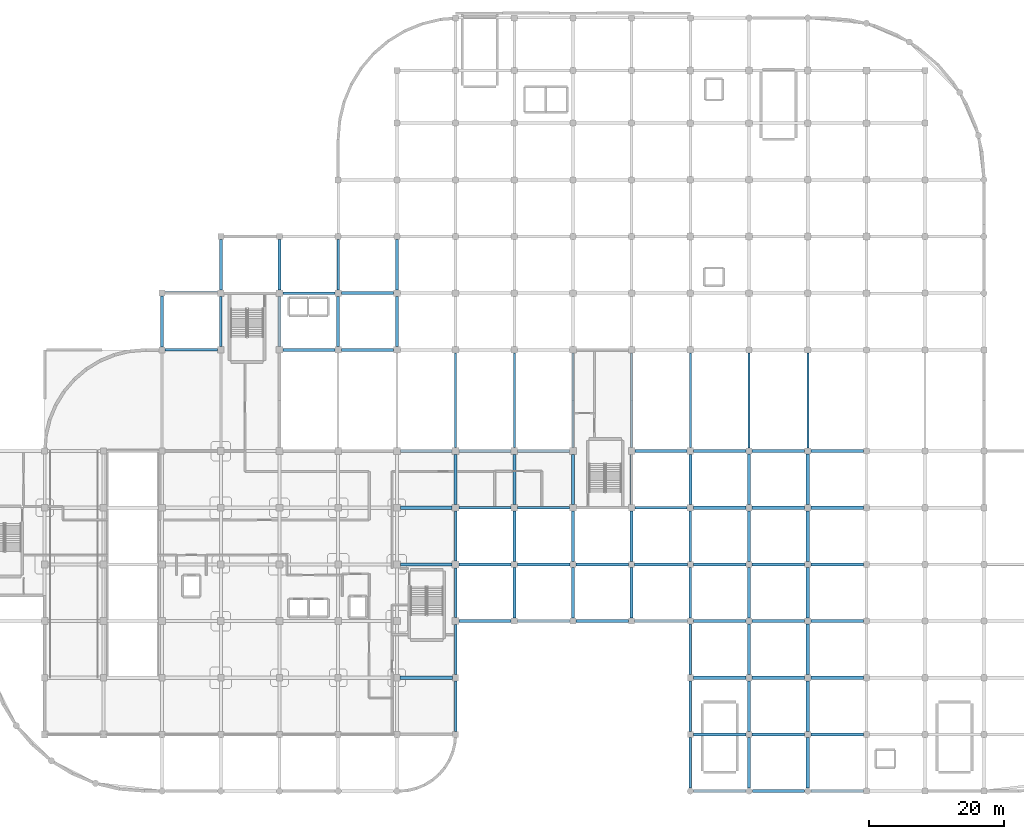
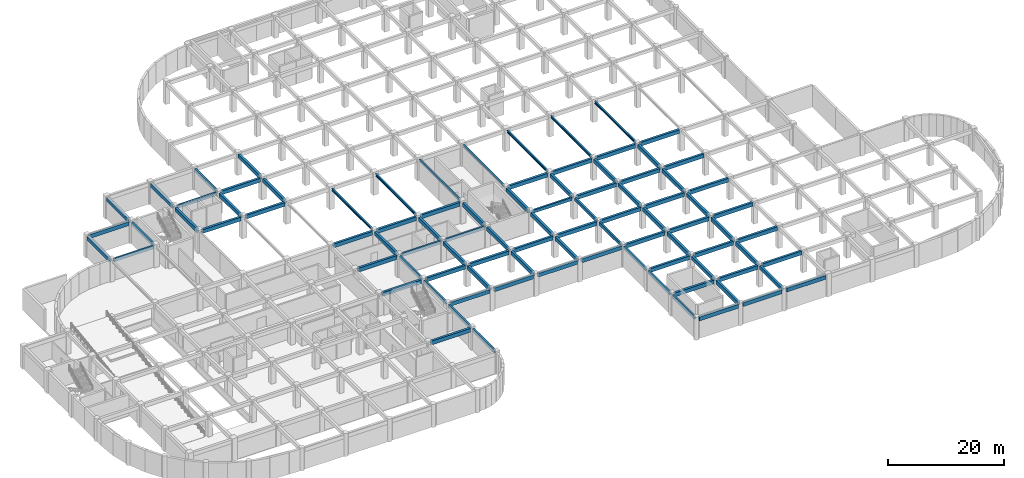
# One storey, part 3 of 19: 93 beams.
"""IFC4 building model written with IfcOpenShell, lengths in metres."""

from ifc_helpers import new_model, si_unit, derived_unit, direction, frame, origin, origin_2d, place, context, subcontext, project, spatial, rectangle, i_section, extrude, material, material_profile, profile_set, type_object, element, save


model = new_model("IFC4")

# Units and contexts
model_context = context("Model", 3, precision=1e-05, world=origin(), true_north=direction((0.0, 1.0)))
body_context = subcontext(model_context, "Body", "Model", "MODEL_VIEW")
ifc_project = project(units=[si_unit("LENGTHUNIT", "METRE"), si_unit("AREAUNIT", "SQUARE_METRE"), si_unit("VOLUMEUNIT", "CUBIC_METRE"), si_unit("PLANEANGLEUNIT", "RADIAN"), si_unit("MASSUNIT", "GRAM", prefix="KILO"), derived_unit("THERMALTRANSMITTANCEUNIT", [(si_unit("MASSUNIT", "GRAM", prefix="KILO"), 1), (si_unit("TIMEUNIT", "SECOND"), -3), (si_unit("THERMODYNAMICTEMPERATUREUNIT", "KELVIN"), -1)])], contexts=[model_context])

# Site, building, storey
site_placement = place(None, origin())
site = spatial("IfcSite", under=ifc_project, at=site_placement, CompositionType="ELEMENT")
building_placement = place(site_placement, origin())
building = spatial("IfcBuilding", under=site, at=building_placement, Name="Qinzheling Arcade Emporium", CompositionType="ELEMENT")
storey_placement = place(building_placement, frame((0.0, 0.0, -4.800048828125)))
storey = spatial("IfcBuildingStorey", under=building, at=storey_placement, Name="B1", CompositionType="ELEMENT", Elevation=-4.800048828125)

# Beams
ifc_material_1 = material(Name="Structural steel Q355B", Category="steel")
ifc_material_profile_1 = material_profile(ifc_material_1, i_section(OverallWidth=0.300048828125, OverallDepth=0.488037109375, WebThickness=0.010986328125, FlangeThickness=0.01806640625, FilletRadius=0.02197265625, at=origin_2d()), Name="HM 488x300x11x18", Category="steel")
ifc_profile_set_1 = profile_set([ifc_material_profile_1], Name="Structural steel Q355B")
beam_type_1 = type_object("IfcBeamType", Name="Atrium Bridge Girder HM488 Q355B", PredefinedType="USERDEFINED", material=ifc_profile_set_1)
for number, where, z_axis, x_axis, name in (
    (1, (69.60009765625, 50.89990234375, 4.216064453125), (0.0, 1.0, 0.0), (-1.0, 0.0, 0.0), "Beam BM-B1-Y-9-G"),
    (2, (78.300048828125, 50.89990234375, 4.216064453125), (0.0, 1.0, 0.0), (-1.0, 0.0, 0.0), "Beam BM-B1-Y-10-G"),
    (3, (87.0, 50.89990234375, 4.216064453125), (0.0, 1.0, 0.0), (-1.0, 0.0, 0.0), "Beam BM-B1-Y-11-G"),
    (4, (95.699951171875, 50.89990234375, 4.216064453125), (0.0, 1.0, 0.0), (-1.0, 0.0, 0.0), "Beam BM-B1-Y-12-G"),
    (5, (104.39990234375, 50.89990234375, 4.216064453125), (0.0, 1.0, 0.0), (-1.0, 0.0, 0.0), "Beam BM-B1-Y-13-G"),
):
    element("IfcBeam", number, at=place(storey_placement, frame(where, z_axis=z_axis, x_axis=x_axis)), inside=storey, type_object=beam_type_1, Name=name, ObjectType="TRANSFER_GIRDER", PredefinedType="USERDEFINED", context=body_context, shape_type="SweptSolid", body=[
        extrude(i_section(OverallWidth=0.300048828125, OverallDepth=0.488037109375, WebThickness=0.010986328125, FlangeThickness=0.01806640625, FilletRadius=0.02197265625, at=origin_2d()), origin(), (0.0, 0.0, 1.0), 14.0),
    ])
for number, where, z_axis, x_axis, name in (
    (6, (113.10009765625, 50.85009765625, 4.216064453125), (0.0, 1.0, 0.0), (-1.0, 0.0, 0.0), "Beam BM-B1-Y-14-G"),
    (7, (121.800048828125, 50.85009765625, 4.216064453125), (0.0, 1.0, 0.0), (-1.0, 0.0, 0.0), "Beam BM-B1-Y-15-G"),
):
    element("IfcBeam", number, at=place(storey_placement, frame(where, z_axis=z_axis, x_axis=x_axis)), inside=storey, type_object=beam_type_1, Name=name, ObjectType="TRANSFER_GIRDER", PredefinedType="USERDEFINED", context=body_context, shape_type="SweptSolid", body=[
        extrude(i_section(OverallWidth=0.300048828125, OverallDepth=0.488037109375, WebThickness=0.010986328125, FlangeThickness=0.01806640625, FilletRadius=0.02197265625, at=origin_2d()), origin(), (0.0, 0.0, 1.0), 14.099853515625),
    ])
ifc_material_2 = material(Name="Concrete C40", Category="concrete")
ifc_material_profile_2 = material_profile(ifc_material_2, rectangle(XDim=0.449951171875, YDim=0.800048828125, at=origin_2d()), Name="RC 450x800", Category="concrete")
ifc_profile_set_2 = profile_set([ifc_material_profile_2], Name="Concrete C40")
beam_type_2 = type_object("IfcBeamType", Name="RC Primary Frame Beam 450x800 C40", PredefinedType="BEAM", material=ifc_profile_set_2)
for number, where, z_axis, x_axis, name in (
    (8, (104.875, 0.0, 4.06005859375), (1.0, 0.0, 0.0), (0.0, 1.0, 0.0), "Beam BM-B1-X-A-13"),
    (9, (113.574951171875, 0.0, 4.06005859375), (1.0, 0.0, 0.0), (0.0, 1.0, 0.0), "Beam BM-B1-X-A-14"),
):
    element("IfcBeam", number, at=place(storey_placement, frame(where, z_axis=z_axis, x_axis=x_axis)), inside=storey, type_object=beam_type_2, Name=name, PredefinedType="BEAM", context=body_context, shape_type="SweptSolid", body=[
        extrude(rectangle(XDim=0.449951171875, YDim=0.800048828125, at=origin_2d()), origin(), (0.0, 0.0, 1.0), 7.75),
    ])
beam_1_placement = place(storey_placement, frame((122.27490234375, 0.0, 4.06005859375), z_axis=(1.0, 0.0, 0.0), x_axis=(0.0, 1.0, 0.0)))
element("IfcBeam", 10, at=beam_1_placement, inside=storey, type_object=beam_type_2, Name="Beam BM-B1-X-A-15", PredefinedType="BEAM", context=body_context, shape_type="SweptSolid", body=[
    extrude(rectangle(XDim=0.449951171875, YDim=0.800048828125, at=origin_2d()), origin(), (0.0, 0.0, 1.0), 7.775146484375),
])
beam_2_placement = place(storey_placement, frame((104.85009765625, 8.39990234375, 4.06005859375), z_axis=(1.0, 0.0, 0.0), x_axis=(0.0, 1.0, 0.0)))
element("IfcBeam", 11, at=beam_2_placement, inside=storey, type_object=beam_type_2, Name="Beam BM-B1-X-B-13", PredefinedType="BEAM", context=body_context, shape_type="SweptSolid", body=[
    extrude(rectangle(XDim=0.449951171875, YDim=0.800048828125, at=origin_2d()), origin(), (0.0, 0.0, 1.0), 7.7998046875),
])
for number, where, z_axis, x_axis, name in (
    (12, (113.550048828125, 8.39990234375, 4.06005859375), (1.0, 0.0, 0.0), (0.0, 1.0, 0.0), "Beam BM-B1-X-B-14"),
    (13, (122.25, 8.39990234375, 4.06005859375), (1.0, 0.0, 0.0), (0.0, 1.0, 0.0), "Beam BM-B1-X-B-15"),
):
    element("IfcBeam", number, at=place(storey_placement, frame(where, z_axis=z_axis, x_axis=x_axis)), inside=storey, type_object=beam_type_2, Name=name, PredefinedType="BEAM", context=body_context, shape_type="SweptSolid", body=[
        extrude(rectangle(XDim=0.449951171875, YDim=0.800048828125, at=origin_2d()), origin(), (0.0, 0.0, 1.0), 7.800048828125),
    ])
for number, where, z_axis, x_axis, name in (
    (14, (61.35009765625, 16.800048828125, 4.06005859375), (1.0, 0.0, 0.0), (0.0, 1.0, 0.0), "Beam BM-B1-X-C-8"),
    (15, (104.85009765625, 16.800048828125, 4.06005859375), (1.0, 0.0, 0.0), (0.0, 1.0, 0.0), "Beam BM-B1-X-C-13"),
):
    element("IfcBeam", number, at=place(storey_placement, frame(where, z_axis=z_axis, x_axis=x_axis)), inside=storey, type_object=beam_type_2, Name=name, PredefinedType="BEAM", context=body_context, shape_type="SweptSolid", body=[
        extrude(rectangle(XDim=0.449951171875, YDim=0.800048828125, at=origin_2d()), origin(), (0.0, 0.0, 1.0), 7.7998046875),
    ])
for number, where, z_axis, x_axis, name in (
    (16, (113.550048828125, 16.800048828125, 4.06005859375), (1.0, 0.0, 0.0), (0.0, 1.0, 0.0), "Beam BM-B1-X-C-14"),
    (17, (122.25, 16.800048828125, 4.06005859375), (1.0, 0.0, 0.0), (0.0, 1.0, 0.0), "Beam BM-B1-X-C-15"),
):
    element("IfcBeam", number, at=place(storey_placement, frame(where, z_axis=z_axis, x_axis=x_axis)), inside=storey, type_object=beam_type_2, Name=name, PredefinedType="BEAM", context=body_context, shape_type="SweptSolid", body=[
        extrude(rectangle(XDim=0.449951171875, YDim=0.800048828125, at=origin_2d()), origin(), (0.0, 0.0, 1.0), 7.800048828125),
    ])
beam_3_placement = place(storey_placement, frame((70.10009765625, 25.199951171875, 4.06005859375), z_axis=(1.0, 0.0, 0.0), x_axis=(0.0, 1.0, 0.0)))
element("IfcBeam", 18, at=beam_3_placement, inside=storey, type_object=beam_type_2, Name="Beam BM-B1-X-D-9", PredefinedType="BEAM", context=body_context, shape_type="SweptSolid", body=[
    extrude(rectangle(XDim=0.449951171875, YDim=0.800048828125, at=origin_2d()), origin(), (0.0, 0.0, 1.0), 7.75),
])
for number, where, z_axis, x_axis, name in (
    (19, (78.75, 25.199951171875, 4.06005859375), (1.0, 0.0, 0.0), (0.0, 1.0, 0.0), "Beam BM-B1-X-D-10"),
    (20, (87.449951171875, 25.199951171875, 4.06005859375), (1.0, 0.0, 0.0), (0.0, 1.0, 0.0), "Beam BM-B1-X-D-11"),
    (21, (96.14990234375, 25.199951171875, 4.06005859375), (1.0, 0.0, 0.0), (0.0, 1.0, 0.0), "Beam BM-B1-X-D-12"),
):
    element("IfcBeam", number, at=place(storey_placement, frame(where, z_axis=z_axis, x_axis=x_axis)), inside=storey, type_object=beam_type_2, Name=name, PredefinedType="BEAM", context=body_context, shape_type="SweptSolid", body=[
        extrude(rectangle(XDim=0.449951171875, YDim=0.800048828125, at=origin_2d()), origin(), (0.0, 0.0, 1.0), 7.800048828125),
    ])
beam_4_placement = place(storey_placement, frame((104.85009765625, 25.199951171875, 4.06005859375), z_axis=(1.0, 0.0, 0.0), x_axis=(0.0, 1.0, 0.0)))
element("IfcBeam", 22, at=beam_4_placement, inside=storey, type_object=beam_type_2, Name="Beam BM-B1-X-D-13", PredefinedType="BEAM", context=body_context, shape_type="SweptSolid", body=[
    extrude(rectangle(XDim=0.449951171875, YDim=0.800048828125, at=origin_2d()), origin(), (0.0, 0.0, 1.0), 7.7998046875),
])
for number, where, z_axis, x_axis, name in (
    (23, (113.550048828125, 25.199951171875, 4.06005859375), (1.0, 0.0, 0.0), (0.0, 1.0, 0.0), "Beam BM-B1-X-D-14"),
    (24, (122.25, 25.199951171875, 4.06005859375), (1.0, 0.0, 0.0), (0.0, 1.0, 0.0), "Beam BM-B1-X-D-15"),
):
    element("IfcBeam", number, at=place(storey_placement, frame(where, z_axis=z_axis, x_axis=x_axis)), inside=storey, type_object=beam_type_2, Name=name, PredefinedType="BEAM", context=body_context, shape_type="SweptSolid", body=[
        extrude(rectangle(XDim=0.449951171875, YDim=0.800048828125, at=origin_2d()), origin(), (0.0, 0.0, 1.0), 7.800048828125),
    ])
beam_5_placement = place(storey_placement, frame((61.39990234375, 33.60009765625, 4.06005859375), z_axis=(1.0, 0.0, 0.0), x_axis=(0.0, 1.0, 0.0)))
element("IfcBeam", 25, at=beam_5_placement, inside=storey, type_object=beam_type_2, Name="Beam BM-B1-X-E-8", PredefinedType="BEAM", context=body_context, shape_type="SweptSolid", body=[
    extrude(rectangle(XDim=0.449951171875, YDim=0.800048828125, at=origin_2d()), origin(), (0.0, 0.0, 1.0), 7.7001953125),
])
beam_6_placement = place(storey_placement, frame((70.10009765625, 33.60009765625, 4.06005859375), z_axis=(1.0, 0.0, 0.0), x_axis=(0.0, 1.0, 0.0)))
element("IfcBeam", 26, at=beam_6_placement, inside=storey, type_object=beam_type_2, Name="Beam BM-B1-X-E-9", PredefinedType="BEAM", context=body_context, shape_type="SweptSolid", body=[
    extrude(rectangle(XDim=0.449951171875, YDim=0.800048828125, at=origin_2d()), origin(), (0.0, 0.0, 1.0), 7.75),
])
for number, where, z_axis, x_axis, name in (
    (27, (78.75, 33.60009765625, 4.06005859375), (1.0, 0.0, 0.0), (0.0, 1.0, 0.0), "Beam BM-B1-X-E-10"),
    (28, (87.449951171875, 33.60009765625, 4.06005859375), (1.0, 0.0, 0.0), (0.0, 1.0, 0.0), "Beam BM-B1-X-E-11"),
    (29, (96.14990234375, 33.60009765625, 4.06005859375), (1.0, 0.0, 0.0), (0.0, 1.0, 0.0), "Beam BM-B1-X-E-12"),
):
    element("IfcBeam", number, at=place(storey_placement, frame(where, z_axis=z_axis, x_axis=x_axis)), inside=storey, type_object=beam_type_2, Name=name, PredefinedType="BEAM", context=body_context, shape_type="SweptSolid", body=[
        extrude(rectangle(XDim=0.449951171875, YDim=0.800048828125, at=origin_2d()), origin(), (0.0, 0.0, 1.0), 7.800048828125),
    ])
beam_7_placement = place(storey_placement, frame((104.85009765625, 33.60009765625, 4.06005859375), z_axis=(1.0, 0.0, 0.0), x_axis=(0.0, 1.0, 0.0)))
element("IfcBeam", 30, at=beam_7_placement, inside=storey, type_object=beam_type_2, Name="Beam BM-B1-X-E-13", PredefinedType="BEAM", context=body_context, shape_type="SweptSolid", body=[
    extrude(rectangle(XDim=0.449951171875, YDim=0.800048828125, at=origin_2d()), origin(), (0.0, 0.0, 1.0), 7.7998046875),
])
for number, where, z_axis, x_axis, name in (
    (31, (113.550048828125, 33.60009765625, 4.06005859375), (1.0, 0.0, 0.0), (0.0, 1.0, 0.0), "Beam BM-B1-X-E-14"),
    (32, (122.25, 33.60009765625, 4.06005859375), (1.0, 0.0, 0.0), (0.0, 1.0, 0.0), "Beam BM-B1-X-E-15"),
):
    element("IfcBeam", number, at=place(storey_placement, frame(where, z_axis=z_axis, x_axis=x_axis)), inside=storey, type_object=beam_type_2, Name=name, PredefinedType="BEAM", context=body_context, shape_type="SweptSolid", body=[
        extrude(rectangle(XDim=0.449951171875, YDim=0.800048828125, at=origin_2d()), origin(), (0.0, 0.0, 1.0), 7.800048828125),
    ])
beam_8_placement = place(storey_placement, frame((61.39990234375, 42.0, 4.06005859375), z_axis=(1.0, 0.0, 0.0), x_axis=(0.0, 1.0, 0.0)))
element("IfcBeam", 33, at=beam_8_placement, inside=storey, type_object=beam_type_2, Name="Beam BM-B1-X-F-8", PredefinedType="BEAM", context=body_context, shape_type="SweptSolid", body=[
    extrude(rectangle(XDim=0.449951171875, YDim=0.800048828125, at=origin_2d()), origin(), (0.0, 0.0, 1.0), 7.7001953125),
])
beam_9_placement = place(storey_placement, frame((104.89990234375, 42.0, 4.06005859375), z_axis=(1.0, 0.0, 0.0), x_axis=(0.0, 1.0, 0.0)))
element("IfcBeam", 34, at=beam_9_placement, inside=storey, type_object=beam_type_2, Name="Beam BM-B1-X-F-13", PredefinedType="BEAM", context=body_context, shape_type="SweptSolid", body=[
    extrude(rectangle(XDim=0.449951171875, YDim=0.800048828125, at=origin_2d()), origin(), (0.0, 0.0, 1.0), 7.75),
])
for number, where, z_axis, x_axis, name in (
    (35, (113.550048828125, 42.0, 4.06005859375), (1.0, 0.0, 0.0), (0.0, 1.0, 0.0), "Beam BM-B1-X-F-14"),
    (36, (122.25, 42.0, 4.06005859375), (1.0, 0.0, 0.0), (0.0, 1.0, 0.0), "Beam BM-B1-X-F-15"),
):
    element("IfcBeam", number, at=place(storey_placement, frame(where, z_axis=z_axis, x_axis=x_axis)), inside=storey, type_object=beam_type_2, Name=name, PredefinedType="BEAM", context=body_context, shape_type="SweptSolid", body=[
        extrude(rectangle(XDim=0.449951171875, YDim=0.800048828125, at=origin_2d()), origin(), (0.0, 0.0, 1.0), 7.800048828125),
    ])
beam_10_placement = place(storey_placement, frame((61.39990234375, 50.39990234375, 4.06005859375), z_axis=(1.0, 0.0, 0.0), x_axis=(0.0, 1.0, 0.0)))
element("IfcBeam", 37, at=beam_10_placement, inside=storey, type_object=beam_type_2, Name="Beam BM-B1-X-G-8", PredefinedType="BEAM", context=body_context, shape_type="SweptSolid", body=[
    extrude(rectangle(XDim=0.449951171875, YDim=0.800048828125, at=origin_2d()), origin(), (0.0, 0.0, 1.0), 7.7001953125),
])
for number, where, z_axis, x_axis, name in (
    (38, (70.10009765625, 50.39990234375, 4.06005859375), (1.0, 0.0, 0.0), (0.0, 1.0, 0.0), "Beam BM-B1-X-G-9"),
    (39, (78.800048828125, 50.39990234375, 4.06005859375), (1.0, 0.0, 0.0), (0.0, 1.0, 0.0), "Beam BM-B1-X-G-10"),
    (40, (96.199951171875, 50.39990234375, 4.06005859375), (1.0, 0.0, 0.0), (0.0, 1.0, 0.0), "Beam BM-B1-X-G-12"),
):
    element("IfcBeam", number, at=place(storey_placement, frame(where, z_axis=z_axis, x_axis=x_axis)), inside=storey, type_object=beam_type_2, Name=name, PredefinedType="BEAM", context=body_context, shape_type="SweptSolid", body=[
        extrude(rectangle(XDim=0.449951171875, YDim=0.800048828125, at=origin_2d()), origin(), (0.0, 0.0, 1.0), 7.699951171875),
    ])
beam_11_placement = place(storey_placement, frame((104.89990234375, 50.39990234375, 4.06005859375), z_axis=(1.0, 0.0, 0.0), x_axis=(0.0, 1.0, 0.0)))
element("IfcBeam", 41, at=beam_11_placement, inside=storey, type_object=beam_type_2, Name="Beam BM-B1-X-G-13", PredefinedType="BEAM", context=body_context, shape_type="SweptSolid", body=[
    extrude(rectangle(XDim=0.449951171875, YDim=0.800048828125, at=origin_2d()), origin(), (0.0, 0.0, 1.0), 7.75),
])
for number, where, z_axis, x_axis, name in (
    (42, (113.550048828125, 50.39990234375, 4.06005859375), (1.0, 0.0, 0.0), (0.0, 1.0, 0.0), "Beam BM-B1-X-G-14"),
    (43, (122.25, 50.39990234375, 4.06005859375), (1.0, 0.0, 0.0), (0.0, 1.0, 0.0), "Beam BM-B1-X-G-15"),
):
    element("IfcBeam", number, at=place(storey_placement, frame(where, z_axis=z_axis, x_axis=x_axis)), inside=storey, type_object=beam_type_2, Name=name, PredefinedType="BEAM", context=body_context, shape_type="SweptSolid", body=[
        extrude(rectangle(XDim=0.449951171875, YDim=0.800048828125, at=origin_2d()), origin(), (0.0, 0.0, 1.0), 7.800048828125),
    ])
for number, where, z_axis, x_axis, name in (
    (44, (44.0, 65.39990234375, 4.06005859375), (1.0, 0.0, 0.0), (0.0, 1.0, 0.0), "Beam BM-B1-X-H-6"),
    (45, (52.699951171875, 65.39990234375, 4.06005859375), (1.0, 0.0, 0.0), (0.0, 1.0, 0.0), "Beam BM-B1-X-H-7"),
):
    element("IfcBeam", number, at=place(storey_placement, frame(where, z_axis=z_axis, x_axis=x_axis)), inside=storey, type_object=beam_type_2, Name=name, PredefinedType="BEAM", context=body_context, shape_type="SweptSolid", body=[
        extrude(rectangle(XDim=0.449951171875, YDim=0.800048828125, at=origin_2d()), origin(), (0.0, 0.0, 1.0), 7.699951171875),
    ])
beam_12_placement = place(storey_placement, frame((26.550048828125, 73.800048828125, 4.06005859375), z_axis=(1.0, 0.0, 0.0), x_axis=(0.0, 1.0, 0.0)))
element("IfcBeam", 46, at=beam_12_placement, inside=storey, type_object=beam_type_2, Name="Beam BM-B1-X-J-4", PredefinedType="BEAM", context=body_context, shape_type="SweptSolid", body=[
    extrude(rectangle(XDim=0.449951171875, YDim=0.800048828125, at=origin_2d()), origin(), (0.0, 0.0, 1.0), 7.75),
])
beam_13_placement = place(storey_placement, frame((52.699951171875, 73.800048828125, 4.06005859375), z_axis=(1.0, 0.0, 0.0), x_axis=(0.0, 1.0, 0.0)))
element("IfcBeam", 47, at=beam_13_placement, inside=storey, type_object=beam_type_2, Name="Beam BM-B1-X-J-7", PredefinedType="BEAM", context=body_context, shape_type="SweptSolid", body=[
    extrude(rectangle(XDim=0.449951171875, YDim=0.800048828125, at=origin_2d()), origin(), (0.0, 0.0, 1.0), 7.699951171875),
])
beam_14_placement = place(storey_placement, frame((26.10009765625, 65.85009765625, 4.06005859375), z_axis=(0.0, 1.0, 0.0), x_axis=(-1.0, 0.0, 0.0)))
element("IfcBeam", 48, at=beam_14_placement, inside=storey, type_object=beam_type_2, Name="Beam BM-B1-Y-4-H", PredefinedType="BEAM", context=body_context, shape_type="SweptSolid", body=[
    extrude(rectangle(XDim=0.449951171875, YDim=0.800048828125, at=origin_2d()), origin(), (0.0, 0.0, 1.0), 7.5),
])
beam_15_placement = place(storey_placement, frame((34.800048828125, 74.300048828125, 4.06005859375), z_axis=(0.0, 1.0, 0.0), x_axis=(-1.0, 0.0, 0.0)))
element("IfcBeam", 49, at=beam_15_placement, inside=storey, type_object=beam_type_2, Name="Beam BM-B1-Y-5-J", PredefinedType="BEAM", context=body_context, shape_type="SweptSolid", body=[
    extrude(rectangle(XDim=0.449951171875, YDim=0.800048828125, at=origin_2d()), origin(), (0.0, 0.0, 1.0), 7.449951171875),
])
beam_16_placement = place(storey_placement, frame((43.5, 65.89990234375, 4.06005859375), z_axis=(0.0, 1.0, 0.0), x_axis=(-1.0, 0.0, 0.0)))
element("IfcBeam", 50, at=beam_16_placement, inside=storey, type_object=beam_type_2, Name="Beam BM-B1-Y-6-H", PredefinedType="BEAM", context=body_context, shape_type="SweptSolid", body=[
    extrude(rectangle(XDim=0.449951171875, YDim=0.800048828125, at=origin_2d()), origin(), (0.0, 0.0, 1.0), 7.400146484375),
])
beam_17_placement = place(storey_placement, frame((43.5, 74.300048828125, 4.06005859375), z_axis=(0.0, 1.0, 0.0), x_axis=(-1.0, 0.0, 0.0)))
element("IfcBeam", 51, at=beam_17_placement, inside=storey, type_object=beam_type_2, Name="Beam BM-B1-Y-6-J", PredefinedType="BEAM", context=body_context, shape_type="SweptSolid", body=[
    extrude(rectangle(XDim=0.449951171875, YDim=0.800048828125, at=origin_2d()), origin(), (0.0, 0.0, 1.0), 7.449951171875),
])
for number, where, z_axis, x_axis, name in (
    (52, (52.199951171875, 65.89990234375, 4.06005859375), (0.0, 1.0, 0.0), (-1.0, 0.0, 0.0), "Beam BM-B1-Y-7-H"),
    (53, (60.89990234375, 65.89990234375, 4.06005859375), (0.0, 1.0, 0.0), (-1.0, 0.0, 0.0), "Beam BM-B1-Y-8-H"),
):
    element("IfcBeam", number, at=place(storey_placement, frame(where, z_axis=z_axis, x_axis=x_axis)), inside=storey, type_object=beam_type_2, Name=name, PredefinedType="BEAM", context=body_context, shape_type="SweptSolid", body=[
        extrude(rectangle(XDim=0.449951171875, YDim=0.800048828125, at=origin_2d()), origin(), (0.0, 0.0, 1.0), 7.400146484375),
    ])
beam_18_placement = place(storey_placement, frame((60.89990234375, 74.300048828125, 4.06005859375), z_axis=(0.0, 1.0, 0.0), x_axis=(-1.0, 0.0, 0.0)))
element("IfcBeam", 54, at=beam_18_placement, inside=storey, type_object=beam_type_2, Name="Beam BM-B1-Y-8-J", PredefinedType="BEAM", context=body_context, shape_type="SweptSolid", body=[
    extrude(rectangle(XDim=0.449951171875, YDim=0.800048828125, at=origin_2d()), origin(), (0.0, 0.0, 1.0), 7.449951171875),
])
beam_19_placement = place(storey_placement, frame((69.60009765625, 42.5, 4.06005859375), z_axis=(0.0, 1.0, 0.0), x_axis=(-1.0, 0.0, 0.0)))
element("IfcBeam", 55, at=beam_19_placement, inside=storey, type_object=beam_type_2, Name="Beam BM-B1-Y-9-F", PredefinedType="BEAM", context=body_context, shape_type="SweptSolid", body=[
    extrude(rectangle(XDim=0.449951171875, YDim=0.800048828125, at=origin_2d()), origin(), (0.0, 0.0, 1.0), 7.39990234375),
])
beam_20_placement = place(storey_placement, frame((78.300048828125, 25.64990234375, 4.06005859375), z_axis=(0.0, 1.0, 0.0), x_axis=(-1.0, 0.0, 0.0)))
element("IfcBeam", 56, at=beam_20_placement, inside=storey, type_object=beam_type_2, Name="Beam BM-B1-Y-10-D", PredefinedType="BEAM", context=body_context, shape_type="SweptSolid", body=[
    extrude(rectangle(XDim=0.449951171875, YDim=0.800048828125, at=origin_2d()), origin(), (0.0, 0.0, 1.0), 7.5),
])
beam_21_placement = place(storey_placement, frame((78.300048828125, 34.050048828125, 4.06005859375), z_axis=(0.0, 1.0, 0.0), x_axis=(-1.0, 0.0, 0.0)))
element("IfcBeam", 57, at=beam_21_placement, inside=storey, type_object=beam_type_2, Name="Beam BM-B1-Y-10-E", PredefinedType="BEAM", context=body_context, shape_type="SweptSolid", body=[
    extrude(rectangle(XDim=0.449951171875, YDim=0.800048828125, at=origin_2d()), origin(), (0.0, 0.0, 1.0), 7.449951171875),
])
beam_22_placement = place(storey_placement, frame((78.300048828125, 42.5, 4.06005859375), z_axis=(0.0, 1.0, 0.0), x_axis=(-1.0, 0.0, 0.0)))
element("IfcBeam", 58, at=beam_22_placement, inside=storey, type_object=beam_type_2, Name="Beam BM-B1-Y-10-F", PredefinedType="BEAM", context=body_context, shape_type="SweptSolid", body=[
    extrude(rectangle(XDim=0.449951171875, YDim=0.800048828125, at=origin_2d()), origin(), (0.0, 0.0, 1.0), 7.39990234375),
])
beam_23_placement = place(storey_placement, frame((87.0, 25.64990234375, 4.06005859375), z_axis=(0.0, 1.0, 0.0), x_axis=(-1.0, 0.0, 0.0)))
element("IfcBeam", 59, at=beam_23_placement, inside=storey, type_object=beam_type_2, Name="Beam BM-B1-Y-11-D", PredefinedType="BEAM", context=body_context, shape_type="SweptSolid", body=[
    extrude(rectangle(XDim=0.449951171875, YDim=0.800048828125, at=origin_2d()), origin(), (0.0, 0.0, 1.0), 7.5),
])
beam_24_placement = place(storey_placement, frame((87.0, 34.050048828125, 4.06005859375), z_axis=(0.0, 1.0, 0.0), x_axis=(-1.0, 0.0, 0.0)))
element("IfcBeam", 60, at=beam_24_placement, inside=storey, type_object=beam_type_2, Name="Beam BM-B1-Y-11-E", PredefinedType="BEAM", context=body_context, shape_type="SweptSolid", body=[
    extrude(rectangle(XDim=0.449951171875, YDim=0.800048828125, at=origin_2d()), origin(), (0.0, 0.0, 1.0), 7.449951171875),
])
beam_25_placement = place(storey_placement, frame((87.0, 42.5, 4.06005859375), z_axis=(0.0, 1.0, 0.0), x_axis=(-1.0, 0.0, 0.0)))
element("IfcBeam", 61, at=beam_25_placement, inside=storey, type_object=beam_type_2, Name="Beam BM-B1-Y-11-F", PredefinedType="BEAM", context=body_context, shape_type="SweptSolid", body=[
    extrude(rectangle(XDim=0.449951171875, YDim=0.800048828125, at=origin_2d()), origin(), (0.0, 0.0, 1.0), 7.39990234375),
])
beam_26_placement = place(storey_placement, frame((95.699951171875, 25.64990234375, 4.06005859375), z_axis=(0.0, 1.0, 0.0), x_axis=(-1.0, 0.0, 0.0)))
element("IfcBeam", 62, at=beam_26_placement, inside=storey, type_object=beam_type_2, Name="Beam BM-B1-Y-12-D", PredefinedType="BEAM", context=body_context, shape_type="SweptSolid", body=[
    extrude(rectangle(XDim=0.449951171875, YDim=0.800048828125, at=origin_2d()), origin(), (0.0, 0.0, 1.0), 7.5),
])
beam_27_placement = place(storey_placement, frame((95.699951171875, 34.050048828125, 4.06005859375), z_axis=(0.0, 1.0, 0.0), x_axis=(-1.0, 0.0, 0.0)))
element("IfcBeam", 63, at=beam_27_placement, inside=storey, type_object=beam_type_2, Name="Beam BM-B1-Y-12-E", PredefinedType="BEAM", context=body_context, shape_type="SweptSolid", body=[
    extrude(rectangle(XDim=0.449951171875, YDim=0.800048828125, at=origin_2d()), origin(), (0.0, 0.0, 1.0), 7.449951171875),
])
for number, where, z_axis, x_axis, name in (
    (64, (95.699951171875, 42.5, 4.06005859375), (0.0, 1.0, 0.0), (-1.0, 0.0, 0.0), "Beam BM-B1-Y-12-F"),
    (65, (104.39990234375, 42.5, 4.06005859375), (0.0, 1.0, 0.0), (-1.0, 0.0, 0.0), "Beam BM-B1-Y-13-F"),
):
    element("IfcBeam", number, at=place(storey_placement, frame(where, z_axis=z_axis, x_axis=x_axis)), inside=storey, type_object=beam_type_2, Name=name, PredefinedType="BEAM", context=body_context, shape_type="SweptSolid", body=[
        extrude(rectangle(XDim=0.449951171875, YDim=0.800048828125, at=origin_2d()), origin(), (0.0, 0.0, 1.0), 7.39990234375),
    ])
beam_28_placement = place(storey_placement, frame((113.10009765625, 0.47509765625, 4.06005859375), z_axis=(0.0, 1.0, 0.0), x_axis=(-1.0, 0.0, 0.0)))
element("IfcBeam", 66, at=beam_28_placement, inside=storey, type_object=beam_type_2, Name="Beam BM-B1-Y-14-A", PredefinedType="BEAM", context=body_context, shape_type="SweptSolid", body=[
    extrude(rectangle(XDim=0.449951171875, YDim=0.800048828125, at=origin_2d()), origin(), (0.0, 0.0, 1.0), 7.474853515625),
])
for number, where, z_axis, x_axis, name in (
    (67, (113.10009765625, 8.85009765625, 4.06005859375), (0.0, 1.0, 0.0), (-1.0, 0.0, 0.0), "Beam BM-B1-Y-14-B"),
    (68, (113.10009765625, 17.25, 4.06005859375), (0.0, 1.0, 0.0), (-1.0, 0.0, 0.0), "Beam BM-B1-Y-14-C"),
    (69, (113.10009765625, 25.64990234375, 4.06005859375), (0.0, 1.0, 0.0), (-1.0, 0.0, 0.0), "Beam BM-B1-Y-14-D"),
    (70, (113.10009765625, 34.050048828125, 4.06005859375), (0.0, 1.0, 0.0), (-1.0, 0.0, 0.0), "Beam BM-B1-Y-14-E"),
    (71, (113.10009765625, 42.449951171875, 4.06005859375), (0.0, 1.0, 0.0), (-1.0, 0.0, 0.0), "Beam BM-B1-Y-14-F"),
):
    element("IfcBeam", number, at=place(storey_placement, frame(where, z_axis=z_axis, x_axis=x_axis)), inside=storey, type_object=beam_type_2, Name=name, PredefinedType="BEAM", context=body_context, shape_type="SweptSolid", body=[
        extrude(rectangle(XDim=0.449951171875, YDim=0.800048828125, at=origin_2d()), origin(), (0.0, 0.0, 1.0), 7.5),
    ])
beam_29_placement = place(storey_placement, frame((121.800048828125, 0.47509765625, 4.06005859375), z_axis=(0.0, 1.0, 0.0), x_axis=(-1.0, 0.0, 0.0)))
element("IfcBeam", 72, at=beam_29_placement, inside=storey, type_object=beam_type_2, Name="Beam BM-B1-Y-15-A", PredefinedType="BEAM", context=body_context, shape_type="SweptSolid", body=[
    extrude(rectangle(XDim=0.449951171875, YDim=0.800048828125, at=origin_2d()), origin(), (0.0, 0.0, 1.0), 7.474853515625),
])
for number, where, z_axis, x_axis, name in (
    (73, (121.800048828125, 8.85009765625, 4.06005859375), (0.0, 1.0, 0.0), (-1.0, 0.0, 0.0), "Beam BM-B1-Y-15-B"),
    (74, (121.800048828125, 17.25, 4.06005859375), (0.0, 1.0, 0.0), (-1.0, 0.0, 0.0), "Beam BM-B1-Y-15-C"),
    (75, (121.800048828125, 25.64990234375, 4.06005859375), (0.0, 1.0, 0.0), (-1.0, 0.0, 0.0), "Beam BM-B1-Y-15-D"),
    (76, (121.800048828125, 34.050048828125, 4.06005859375), (0.0, 1.0, 0.0), (-1.0, 0.0, 0.0), "Beam BM-B1-Y-15-E"),
    (77, (121.800048828125, 42.449951171875, 4.06005859375), (0.0, 1.0, 0.0), (-1.0, 0.0, 0.0), "Beam BM-B1-Y-15-F"),
):
    element("IfcBeam", number, at=place(storey_placement, frame(where, z_axis=z_axis, x_axis=x_axis)), inside=storey, type_object=beam_type_2, Name=name, PredefinedType="BEAM", context=body_context, shape_type="SweptSolid", body=[
        extrude(rectangle(XDim=0.449951171875, YDim=0.800048828125, at=origin_2d()), origin(), (0.0, 0.0, 1.0), 7.5),
    ])
ifc_material_profile_3 = material_profile(ifc_material_2, rectangle(XDim=0.35009765625, YDim=0.64990234375, at=origin_2d()), Name="RC 350x650", Category="concrete")
ifc_profile_set_3 = profile_set([ifc_material_profile_3], Name="Concrete C40")
beam_type_3 = type_object("IfcBeamType", Name="RC Spandrel Edge Beam 350x650 C40", PredefinedType="SPANDREL", material=ifc_profile_set_3)
for number, where, z_axis, x_axis, name in (
    (78, (70.10009765625, 42.0, 4.135009765625), (1.0, 0.0, 0.0), (0.0, 1.0, 0.0), "Beam BM-B1-X-F-9"),
    (79, (78.800048828125, 42.0, 4.135009765625), (1.0, 0.0, 0.0), (0.0, 1.0, 0.0), "Beam BM-B1-X-F-10"),
    (80, (96.199951171875, 42.0, 4.135009765625), (1.0, 0.0, 0.0), (0.0, 1.0, 0.0), "Beam BM-B1-X-F-12"),
):
    element("IfcBeam", number, at=place(storey_placement, frame(where, z_axis=z_axis, x_axis=x_axis)), inside=storey, type_object=beam_type_3, Name=name, PredefinedType="SPANDREL", context=body_context, shape_type="SweptSolid", body=[
        extrude(rectangle(XDim=0.35009765625, YDim=0.64990234375, at=origin_2d()), origin(), (0.0, 0.0, 1.0), 7.699951171875),
    ])
beam_30_placement = place(storey_placement, frame((26.550048828125, 65.39990234375, 4.135009765625), z_axis=(1.0, 0.0, 0.0), x_axis=(0.0, 1.0, 0.0)))
element("IfcBeam", 81, at=beam_30_placement, inside=storey, type_object=beam_type_3, Name="Beam BM-B1-X-H-4", PredefinedType="SPANDREL", context=body_context, shape_type="SweptSolid", body=[
    extrude(rectangle(XDim=0.35009765625, YDim=0.64990234375, at=origin_2d()), origin(), (0.0, 0.0, 1.0), 7.75),
])
beam_31_placement = place(storey_placement, frame((44.0, 73.800048828125, 4.135009765625), z_axis=(1.0, 0.0, 0.0), x_axis=(0.0, 1.0, 0.0)))
element("IfcBeam", 82, at=beam_31_placement, inside=storey, type_object=beam_type_3, Name="Beam BM-B1-X-J-6", PredefinedType="SPANDREL", context=body_context, shape_type="SweptSolid", body=[
    extrude(rectangle(XDim=0.35009765625, YDim=0.64990234375, at=origin_2d()), origin(), (0.0, 0.0, 1.0), 7.699951171875),
])
beam_32_placement = place(storey_placement, frame((34.800048828125, 65.89990234375, 4.135009765625), z_axis=(0.0, 1.0, 0.0), x_axis=(-1.0, 0.0, 0.0)))
element("IfcBeam", 83, at=beam_32_placement, inside=storey, type_object=beam_type_3, Name="Beam BM-B1-Y-5-H", PredefinedType="SPANDREL", context=body_context, shape_type="SweptSolid", body=[
    extrude(rectangle(XDim=0.35009765625, YDim=0.64990234375, at=origin_2d()), origin(), (0.0, 0.0, 1.0), 7.400146484375),
])
beam_33_placement = place(storey_placement, frame((52.199951171875, 74.300048828125, 4.135009765625), z_axis=(0.0, 1.0, 0.0), x_axis=(-1.0, 0.0, 0.0)))
element("IfcBeam", 84, at=beam_33_placement, inside=storey, type_object=beam_type_3, Name="Beam BM-B1-Y-7-J", PredefinedType="SPANDREL", context=body_context, shape_type="SweptSolid", body=[
    extrude(rectangle(XDim=0.35009765625, YDim=0.64990234375, at=origin_2d()), origin(), (0.0, 0.0, 1.0), 7.449951171875),
])
beam_34_placement = place(storey_placement, frame((69.60009765625, 8.85009765625, 4.135009765625), z_axis=(0.0, 1.0, 0.0), x_axis=(-1.0, 0.0, 0.0)))
element("IfcBeam", 85, at=beam_34_placement, inside=storey, type_object=beam_type_3, Name="Beam BM-B1-Y-9-B", PredefinedType="SPANDREL", context=body_context, shape_type="SweptSolid", body=[
    extrude(rectangle(XDim=0.35009765625, YDim=0.64990234375, at=origin_2d()), origin(), (0.0, 0.0, 1.0), 7.5),
])
beam_35_placement = place(storey_placement, frame((69.60009765625, 17.25, 4.135009765625), z_axis=(0.0, 1.0, 0.0), x_axis=(-1.0, 0.0, 0.0)))
element("IfcBeam", 86, at=beam_35_placement, inside=storey, type_object=beam_type_3, Name="Beam BM-B1-Y-9-C", PredefinedType="SPANDREL", context=body_context, shape_type="SweptSolid", body=[
    extrude(rectangle(XDim=0.35009765625, YDim=0.64990234375, at=origin_2d()), origin(), (0.0, 0.0, 1.0), 7.449951171875),
])
beam_36_placement = place(storey_placement, frame((69.60009765625, 25.699951171875, 4.135009765625), z_axis=(0.0, 1.0, 0.0), x_axis=(-1.0, 0.0, 0.0)))
element("IfcBeam", 87, at=beam_36_placement, inside=storey, type_object=beam_type_3, Name="Beam BM-B1-Y-9-D", PredefinedType="SPANDREL", context=body_context, shape_type="SweptSolid", body=[
    extrude(rectangle(XDim=0.35009765625, YDim=0.64990234375, at=origin_2d()), origin(), (0.0, 0.0, 1.0), 7.400146484375),
])
beam_37_placement = place(storey_placement, frame((69.60009765625, 34.10009765625, 4.135009765625), z_axis=(0.0, 1.0, 0.0), x_axis=(-1.0, 0.0, 0.0)))
element("IfcBeam", 88, at=beam_37_placement, inside=storey, type_object=beam_type_3, Name="Beam BM-B1-Y-9-E", PredefinedType="SPANDREL", context=body_context, shape_type="SweptSolid", body=[
    extrude(rectangle(XDim=0.35009765625, YDim=0.64990234375, at=origin_2d()), origin(), (0.0, 0.0, 1.0), 7.39990234375),
])
beam_38_placement = place(storey_placement, frame((104.39990234375, 0.47509765625, 4.135009765625), z_axis=(0.0, 1.0, 0.0), x_axis=(-1.0, 0.0, 0.0)))
element("IfcBeam", 89, at=beam_38_placement, inside=storey, type_object=beam_type_3, Name="Beam BM-B1-Y-13-A", PredefinedType="SPANDREL", context=body_context, shape_type="SweptSolid", body=[
    extrude(rectangle(XDim=0.35009765625, YDim=0.64990234375, at=origin_2d()), origin(), (0.0, 0.0, 1.0), 7.474853515625),
])
for number, where, z_axis, x_axis, name in (
    (90, (104.39990234375, 8.85009765625, 4.135009765625), (0.0, 1.0, 0.0), (-1.0, 0.0, 0.0), "Beam BM-B1-Y-13-B"),
    (91, (104.39990234375, 17.25, 4.135009765625), (0.0, 1.0, 0.0), (-1.0, 0.0, 0.0), "Beam BM-B1-Y-13-C"),
    (92, (104.39990234375, 25.64990234375, 4.135009765625), (0.0, 1.0, 0.0), (-1.0, 0.0, 0.0), "Beam BM-B1-Y-13-D"),
):
    element("IfcBeam", number, at=place(storey_placement, frame(where, z_axis=z_axis, x_axis=x_axis)), inside=storey, type_object=beam_type_3, Name=name, PredefinedType="SPANDREL", context=body_context, shape_type="SweptSolid", body=[
        extrude(rectangle(XDim=0.35009765625, YDim=0.64990234375, at=origin_2d()), origin(), (0.0, 0.0, 1.0), 7.5),
    ])
beam_39_placement = place(storey_placement, frame((104.39990234375, 34.050048828125, 4.135009765625), z_axis=(0.0, 1.0, 0.0), x_axis=(-1.0, 0.0, 0.0)))
element("IfcBeam", 93, at=beam_39_placement, inside=storey, type_object=beam_type_3, Name="Beam BM-B1-Y-13-E", PredefinedType="SPANDREL", context=body_context, shape_type="SweptSolid", body=[
    extrude(rectangle(XDim=0.35009765625, YDim=0.64990234375, at=origin_2d()), origin(), (0.0, 0.0, 1.0), 7.449951171875),
])

save(model, "model.ifc")
